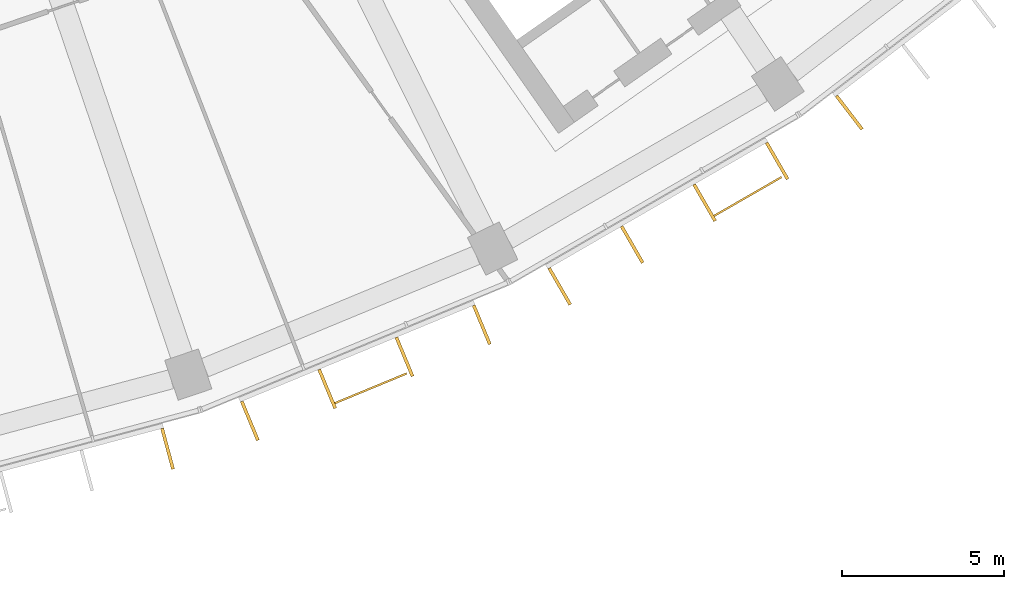
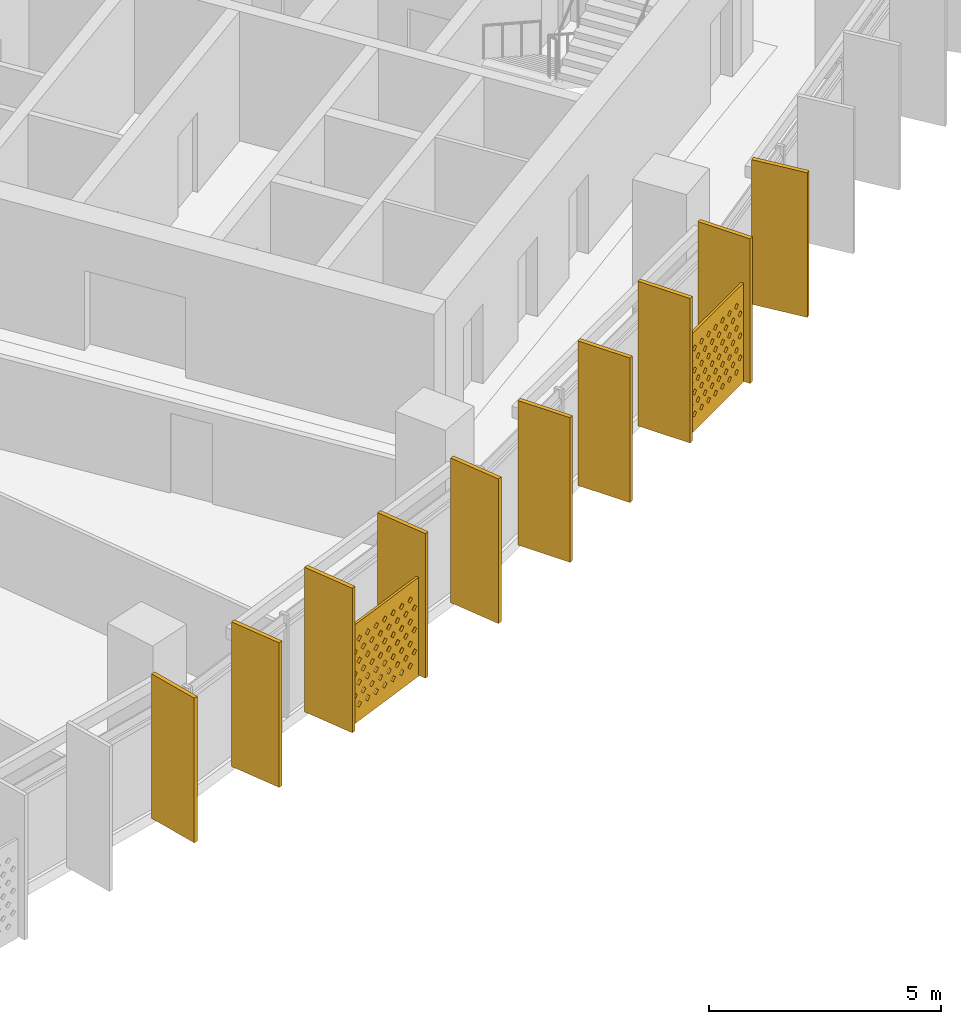
# One storey, part 25 of 27: 12 shading devices.
"""IFC4 building model written with IfcOpenShell, lengths in metres."""

from ifc_helpers import new_model, si_unit, direction, frame, origin, origin_2d, place, context, subcontext, project, spatial, polyline, rectangle, outline, extrude, material, material_profile, profile_set, type_object, element, save


model = new_model("IFC4")

# Units and contexts
model_context = context("Model", 3, precision=1e-05, world=origin(), true_north=direction((0.0, 1.0)))
body_context = subcontext(model_context, "Body", "Model", "MODEL_VIEW")
ifc_project = project(units=[si_unit("LENGTHUNIT", "METRE"), si_unit("AREAUNIT", "SQUARE_METRE"), si_unit("VOLUMEUNIT", "CUBIC_METRE"), si_unit("PLANEANGLEUNIT", "RADIAN"), si_unit("MASSUNIT", "GRAM", prefix="KILO")], contexts=[model_context])

# Site, building, storey
site_placement = place(None, origin())
site = spatial("IfcSite", under=ifc_project, at=site_placement, CompositionType="ELEMENT")
building_placement = place(site_placement, origin())
building = spatial("IfcBuilding", under=site, at=building_placement, Name="Qamariyya Broadcast Tower", CompositionType="ELEMENT")
storey_placement = place(building_placement, frame((0.0, 0.0, 194.89990234375)))
storey = spatial("IfcBuildingStorey", under=building, at=storey_placement, Name="L46", CompositionType="ELEMENT", Elevation=194.89990234375)

# Shading devices
ifc_material_1 = material(Name="Perforated glazed terracotta", Category="masonry")
ifc_material_profile_1 = material_profile(ifc_material_1, outline(polyline([(-1.199951171875, -1.300048828125), (1.199951171875, -1.300048828125), (1.199951171875, 1.300048828125), (-1.199951171875, 1.300048828125), (-1.199951171875, -1.300048828125)]), holes=[polyline([(-0.81494140625, -0.86669921875), (-0.89990234375, -0.78173828125), (-0.985107421875, -0.86669921875), (-0.89990234375, -0.95166015625), (-0.81494140625, -0.86669921875)]), polyline([(-0.514892578125, -0.86669921875), (-0.60009765625, -0.78173828125), (-0.68505859375, -0.86669921875), (-0.60009765625, -0.95166015625), (-0.514892578125, -0.86669921875)]), polyline([(-0.215087890625, -0.86669921875), (-0.300048828125, -0.78173828125), (-0.385009765625, -0.86669921875), (-0.300048828125, -0.95166015625), (-0.215087890625, -0.86669921875)]), polyline([(0.0849609375, -0.86669921875), (0.0, -0.78173828125), (-0.0849609375, -0.86669921875), (0.0, -0.95166015625), (0.0849609375, -0.86669921875)]), polyline([(0.385009765625, -0.86669921875), (0.300048828125, -0.78173828125), (0.215087890625, -0.86669921875), (0.300048828125, -0.95166015625), (0.385009765625, -0.86669921875)]), polyline([(0.68505859375, -0.86669921875), (0.60009765625, -0.78173828125), (0.514892578125, -0.86669921875), (0.60009765625, -0.95166015625), (0.68505859375, -0.86669921875)]), polyline([(0.985107421875, -0.86669921875), (0.89990234375, -0.78173828125), (0.81494140625, -0.86669921875), (0.89990234375, -0.95166015625), (0.985107421875, -0.86669921875)]), polyline([(-0.965087890625, -0.577880859375), (-1.050048828125, -0.49267578125), (-1.135009765625, -0.577880859375), (-1.050048828125, -0.662841796875), (-0.965087890625, -0.577880859375)]), polyline([(-0.6650390625, -0.577880859375), (-0.75, -0.49267578125), (-0.8349609375, -0.577880859375), (-0.75, -0.662841796875), (-0.6650390625, -0.577880859375)]), polyline([(-0.364990234375, -0.577880859375), (-0.449951171875, -0.49267578125), (-0.534912109375, -0.577880859375), (-0.449951171875, -0.662841796875), (-0.364990234375, -0.577880859375)]), polyline([(-0.06494140625, -0.577880859375), (-0.14990234375, -0.49267578125), (-0.235107421875, -0.577880859375), (-0.14990234375, -0.662841796875), (-0.06494140625, -0.577880859375)]), polyline([(0.235107421875, -0.577880859375), (0.14990234375, -0.49267578125), (0.06494140625, -0.577880859375), (0.14990234375, -0.662841796875), (0.235107421875, -0.577880859375)]), polyline([(0.534912109375, -0.577880859375), (0.449951171875, -0.49267578125), (0.364990234375, -0.577880859375), (0.449951171875, -0.662841796875), (0.534912109375, -0.577880859375)]), polyline([(0.8349609375, -0.577880859375), (0.75, -0.49267578125), (0.6650390625, -0.577880859375), (0.75, -0.662841796875), (0.8349609375, -0.577880859375)]), polyline([(1.135009765625, -0.577880859375), (1.050048828125, -0.49267578125), (0.965087890625, -0.577880859375), (1.050048828125, -0.662841796875), (1.135009765625, -0.577880859375)]), polyline([(-0.81494140625, -0.288818359375), (-0.89990234375, -0.203857421875), (-0.985107421875, -0.288818359375), (-0.89990234375, -0.373779296875), (-0.81494140625, -0.288818359375)]), polyline([(-0.514892578125, -0.288818359375), (-0.60009765625, -0.203857421875), (-0.68505859375, -0.288818359375), (-0.60009765625, -0.373779296875), (-0.514892578125, -0.288818359375)]), polyline([(-0.215087890625, -0.288818359375), (-0.300048828125, -0.203857421875), (-0.385009765625, -0.288818359375), (-0.300048828125, -0.373779296875), (-0.215087890625, -0.288818359375)]), polyline([(0.0849609375, -0.288818359375), (0.0, -0.203857421875), (-0.0849609375, -0.288818359375), (0.0, -0.373779296875), (0.0849609375, -0.288818359375)]), polyline([(0.385009765625, -0.288818359375), (0.300048828125, -0.203857421875), (0.215087890625, -0.288818359375), (0.300048828125, -0.373779296875), (0.385009765625, -0.288818359375)]), polyline([(0.68505859375, -0.288818359375), (0.60009765625, -0.203857421875), (0.514892578125, -0.288818359375), (0.60009765625, -0.373779296875), (0.68505859375, -0.288818359375)]), polyline([(0.985107421875, -0.288818359375), (0.89990234375, -0.203857421875), (0.81494140625, -0.288818359375), (0.89990234375, -0.373779296875), (0.985107421875, -0.288818359375)]), polyline([(-0.965087890625, 0.0), (-1.050048828125, 0.0849609375), (-1.135009765625, 0.0), (-1.050048828125, -0.0849609375), (-0.965087890625, 0.0)]), polyline([(-0.6650390625, 0.0), (-0.75, 0.0849609375), (-0.8349609375, 0.0), (-0.75, -0.0849609375), (-0.6650390625, 0.0)]), polyline([(-0.364990234375, 0.0), (-0.449951171875, 0.0849609375), (-0.534912109375, 0.0), (-0.449951171875, -0.0849609375), (-0.364990234375, 0.0)]), polyline([(-0.06494140625, 0.0), (-0.14990234375, 0.0849609375), (-0.235107421875, 0.0), (-0.14990234375, -0.0849609375), (-0.06494140625, 0.0)]), polyline([(0.235107421875, 0.0), (0.14990234375, 0.0849609375), (0.06494140625, 0.0), (0.14990234375, -0.0849609375), (0.235107421875, 0.0)]), polyline([(0.534912109375, 0.0), (0.449951171875, 0.0849609375), (0.364990234375, 0.0), (0.449951171875, -0.0849609375), (0.534912109375, 0.0)]), polyline([(0.8349609375, 0.0), (0.75, 0.0849609375), (0.6650390625, 0.0), (0.75, -0.0849609375), (0.8349609375, 0.0)]), polyline([(1.135009765625, 0.0), (1.050048828125, 0.0849609375), (0.965087890625, 0.0), (1.050048828125, -0.0849609375), (1.135009765625, 0.0)]), polyline([(-0.81494140625, 0.288818359375), (-0.89990234375, 0.373779296875), (-0.985107421875, 0.288818359375), (-0.89990234375, 0.203857421875), (-0.81494140625, 0.288818359375)]), polyline([(-0.514892578125, 0.288818359375), (-0.60009765625, 0.373779296875), (-0.68505859375, 0.288818359375), (-0.60009765625, 0.203857421875), (-0.514892578125, 0.288818359375)]), polyline([(-0.215087890625, 0.288818359375), (-0.300048828125, 0.373779296875), (-0.385009765625, 0.288818359375), (-0.300048828125, 0.203857421875), (-0.215087890625, 0.288818359375)]), polyline([(0.0849609375, 0.288818359375), (0.0, 0.373779296875), (-0.0849609375, 0.288818359375), (0.0, 0.203857421875), (0.0849609375, 0.288818359375)]), polyline([(0.385009765625, 0.288818359375), (0.300048828125, 0.373779296875), (0.215087890625, 0.288818359375), (0.300048828125, 0.203857421875), (0.385009765625, 0.288818359375)]), polyline([(0.68505859375, 0.288818359375), (0.60009765625, 0.373779296875), (0.514892578125, 0.288818359375), (0.60009765625, 0.203857421875), (0.68505859375, 0.288818359375)]), polyline([(0.985107421875, 0.288818359375), (0.89990234375, 0.373779296875), (0.81494140625, 0.288818359375), (0.89990234375, 0.203857421875), (0.985107421875, 0.288818359375)]), polyline([(-0.965087890625, 0.577880859375), (-1.050048828125, 0.662841796875), (-1.135009765625, 0.577880859375), (-1.050048828125, 0.49267578125), (-0.965087890625, 0.577880859375)]), polyline([(-0.6650390625, 0.577880859375), (-0.75, 0.662841796875), (-0.8349609375, 0.577880859375), (-0.75, 0.49267578125), (-0.6650390625, 0.577880859375)]), polyline([(-0.364990234375, 0.577880859375), (-0.449951171875, 0.662841796875), (-0.534912109375, 0.577880859375), (-0.449951171875, 0.49267578125), (-0.364990234375, 0.577880859375)]), polyline([(-0.06494140625, 0.577880859375), (-0.14990234375, 0.662841796875), (-0.235107421875, 0.577880859375), (-0.14990234375, 0.49267578125), (-0.06494140625, 0.577880859375)]), polyline([(0.235107421875, 0.577880859375), (0.14990234375, 0.662841796875), (0.06494140625, 0.577880859375), (0.14990234375, 0.49267578125), (0.235107421875, 0.577880859375)]), polyline([(0.534912109375, 0.577880859375), (0.449951171875, 0.662841796875), (0.364990234375, 0.577880859375), (0.449951171875, 0.49267578125), (0.534912109375, 0.577880859375)]), polyline([(0.8349609375, 0.577880859375), (0.75, 0.662841796875), (0.6650390625, 0.577880859375), (0.75, 0.49267578125), (0.8349609375, 0.577880859375)]), polyline([(1.135009765625, 0.577880859375), (1.050048828125, 0.662841796875), (0.965087890625, 0.577880859375), (1.050048828125, 0.49267578125), (1.135009765625, 0.577880859375)]), polyline([(-0.81494140625, 0.86669921875), (-0.89990234375, 0.95166015625), (-0.985107421875, 0.86669921875), (-0.89990234375, 0.78173828125), (-0.81494140625, 0.86669921875)]), polyline([(-0.514892578125, 0.86669921875), (-0.60009765625, 0.95166015625), (-0.68505859375, 0.86669921875), (-0.60009765625, 0.78173828125), (-0.514892578125, 0.86669921875)]), polyline([(-0.215087890625, 0.86669921875), (-0.300048828125, 0.95166015625), (-0.385009765625, 0.86669921875), (-0.300048828125, 0.78173828125), (-0.215087890625, 0.86669921875)]), polyline([(0.0849609375, 0.86669921875), (0.0, 0.95166015625), (-0.0849609375, 0.86669921875), (0.0, 0.78173828125), (0.0849609375, 0.86669921875)]), polyline([(0.385009765625, 0.86669921875), (0.300048828125, 0.95166015625), (0.215087890625, 0.86669921875), (0.300048828125, 0.78173828125), (0.385009765625, 0.86669921875)]), polyline([(0.68505859375, 0.86669921875), (0.60009765625, 0.95166015625), (0.514892578125, 0.86669921875), (0.60009765625, 0.78173828125), (0.68505859375, 0.86669921875)]), polyline([(0.985107421875, 0.86669921875), (0.89990234375, 0.95166015625), (0.81494140625, 0.86669921875), (0.89990234375, 0.78173828125), (0.985107421875, 0.86669921875)])]))
ifc_profile_set_1 = profile_set([ifc_material_profile_1], Name="Perforated glazed terracotta")
shading_device_type_1 = type_object("IfcShadingDeviceType", Name="Perforated terracotta screen 2400 x 2600", PredefinedType="USERDEFINED", material=ifc_profile_set_1)
shading_device_1_placement = place(storey_placement, frame((30.61474609375, -74.01953125, 1.35009765625), z_axis=(0.382591441855, -0.923917630863, 0.0), x_axis=(0.923917630863, 0.382591441855, 0.0)))
element("IfcShadingDevice", 1, at=shading_device_1_placement, inside=storey, type_object=shading_device_type_1, Name="e-scr-L46-10-1", ObjectType="SCREEN", PredefinedType="USERDEFINED", context=body_context, shape_type="SweptSolid", body=[
    extrude(outline(polyline([(-1.199951171875, -1.300048828125), (1.199951171875, -1.300048828125), (1.199951171875, 1.300048828125), (-1.199951171875, 1.300048828125), (-1.199951171875, -1.300048828125)]), holes=[polyline([(-0.81494140625, -0.86669921875), (-0.89990234375, -0.78173828125), (-0.985107421875, -0.86669921875), (-0.89990234375, -0.95166015625), (-0.81494140625, -0.86669921875)]), polyline([(-0.514892578125, -0.86669921875), (-0.60009765625, -0.78173828125), (-0.68505859375, -0.86669921875), (-0.60009765625, -0.95166015625), (-0.514892578125, -0.86669921875)]), polyline([(-0.215087890625, -0.86669921875), (-0.300048828125, -0.78173828125), (-0.385009765625, -0.86669921875), (-0.300048828125, -0.95166015625), (-0.215087890625, -0.86669921875)]), polyline([(0.0849609375, -0.86669921875), (0.0, -0.78173828125), (-0.0849609375, -0.86669921875), (0.0, -0.95166015625), (0.0849609375, -0.86669921875)]), polyline([(0.385009765625, -0.86669921875), (0.300048828125, -0.78173828125), (0.215087890625, -0.86669921875), (0.300048828125, -0.95166015625), (0.385009765625, -0.86669921875)]), polyline([(0.68505859375, -0.86669921875), (0.60009765625, -0.78173828125), (0.514892578125, -0.86669921875), (0.60009765625, -0.95166015625), (0.68505859375, -0.86669921875)]), polyline([(0.985107421875, -0.86669921875), (0.89990234375, -0.78173828125), (0.81494140625, -0.86669921875), (0.89990234375, -0.95166015625), (0.985107421875, -0.86669921875)]), polyline([(-0.965087890625, -0.577880859375), (-1.050048828125, -0.49267578125), (-1.135009765625, -0.577880859375), (-1.050048828125, -0.662841796875), (-0.965087890625, -0.577880859375)]), polyline([(-0.6650390625, -0.577880859375), (-0.75, -0.49267578125), (-0.8349609375, -0.577880859375), (-0.75, -0.662841796875), (-0.6650390625, -0.577880859375)]), polyline([(-0.364990234375, -0.577880859375), (-0.449951171875, -0.49267578125), (-0.534912109375, -0.577880859375), (-0.449951171875, -0.662841796875), (-0.364990234375, -0.577880859375)]), polyline([(-0.06494140625, -0.577880859375), (-0.14990234375, -0.49267578125), (-0.235107421875, -0.577880859375), (-0.14990234375, -0.662841796875), (-0.06494140625, -0.577880859375)]), polyline([(0.235107421875, -0.577880859375), (0.14990234375, -0.49267578125), (0.06494140625, -0.577880859375), (0.14990234375, -0.662841796875), (0.235107421875, -0.577880859375)]), polyline([(0.534912109375, -0.577880859375), (0.449951171875, -0.49267578125), (0.364990234375, -0.577880859375), (0.449951171875, -0.662841796875), (0.534912109375, -0.577880859375)]), polyline([(0.8349609375, -0.577880859375), (0.75, -0.49267578125), (0.6650390625, -0.577880859375), (0.75, -0.662841796875), (0.8349609375, -0.577880859375)]), polyline([(1.135009765625, -0.577880859375), (1.050048828125, -0.49267578125), (0.965087890625, -0.577880859375), (1.050048828125, -0.662841796875), (1.135009765625, -0.577880859375)]), polyline([(-0.81494140625, -0.288818359375), (-0.89990234375, -0.203857421875), (-0.985107421875, -0.288818359375), (-0.89990234375, -0.373779296875), (-0.81494140625, -0.288818359375)]), polyline([(-0.514892578125, -0.288818359375), (-0.60009765625, -0.203857421875), (-0.68505859375, -0.288818359375), (-0.60009765625, -0.373779296875), (-0.514892578125, -0.288818359375)]), polyline([(-0.215087890625, -0.288818359375), (-0.300048828125, -0.203857421875), (-0.385009765625, -0.288818359375), (-0.300048828125, -0.373779296875), (-0.215087890625, -0.288818359375)]), polyline([(0.0849609375, -0.288818359375), (0.0, -0.203857421875), (-0.0849609375, -0.288818359375), (0.0, -0.373779296875), (0.0849609375, -0.288818359375)]), polyline([(0.385009765625, -0.288818359375), (0.300048828125, -0.203857421875), (0.215087890625, -0.288818359375), (0.300048828125, -0.373779296875), (0.385009765625, -0.288818359375)]), polyline([(0.68505859375, -0.288818359375), (0.60009765625, -0.203857421875), (0.514892578125, -0.288818359375), (0.60009765625, -0.373779296875), (0.68505859375, -0.288818359375)]), polyline([(0.985107421875, -0.288818359375), (0.89990234375, -0.203857421875), (0.81494140625, -0.288818359375), (0.89990234375, -0.373779296875), (0.985107421875, -0.288818359375)]), polyline([(-0.965087890625, 0.0), (-1.050048828125, 0.0849609375), (-1.135009765625, 0.0), (-1.050048828125, -0.0849609375), (-0.965087890625, 0.0)]), polyline([(-0.6650390625, 0.0), (-0.75, 0.0849609375), (-0.8349609375, 0.0), (-0.75, -0.0849609375), (-0.6650390625, 0.0)]), polyline([(-0.364990234375, 0.0), (-0.449951171875, 0.0849609375), (-0.534912109375, 0.0), (-0.449951171875, -0.0849609375), (-0.364990234375, 0.0)]), polyline([(-0.06494140625, 0.0), (-0.14990234375, 0.0849609375), (-0.235107421875, 0.0), (-0.14990234375, -0.0849609375), (-0.06494140625, 0.0)]), polyline([(0.235107421875, 0.0), (0.14990234375, 0.0849609375), (0.06494140625, 0.0), (0.14990234375, -0.0849609375), (0.235107421875, 0.0)]), polyline([(0.534912109375, 0.0), (0.449951171875, 0.0849609375), (0.364990234375, 0.0), (0.449951171875, -0.0849609375), (0.534912109375, 0.0)]), polyline([(0.8349609375, 0.0), (0.75, 0.0849609375), (0.6650390625, 0.0), (0.75, -0.0849609375), (0.8349609375, 0.0)]), polyline([(1.135009765625, 0.0), (1.050048828125, 0.0849609375), (0.965087890625, 0.0), (1.050048828125, -0.0849609375), (1.135009765625, 0.0)]), polyline([(-0.81494140625, 0.288818359375), (-0.89990234375, 0.373779296875), (-0.985107421875, 0.288818359375), (-0.89990234375, 0.203857421875), (-0.81494140625, 0.288818359375)]), polyline([(-0.514892578125, 0.288818359375), (-0.60009765625, 0.373779296875), (-0.68505859375, 0.288818359375), (-0.60009765625, 0.203857421875), (-0.514892578125, 0.288818359375)]), polyline([(-0.215087890625, 0.288818359375), (-0.300048828125, 0.373779296875), (-0.385009765625, 0.288818359375), (-0.300048828125, 0.203857421875), (-0.215087890625, 0.288818359375)]), polyline([(0.0849609375, 0.288818359375), (0.0, 0.373779296875), (-0.0849609375, 0.288818359375), (0.0, 0.203857421875), (0.0849609375, 0.288818359375)]), polyline([(0.385009765625, 0.288818359375), (0.300048828125, 0.373779296875), (0.215087890625, 0.288818359375), (0.300048828125, 0.203857421875), (0.385009765625, 0.288818359375)]), polyline([(0.68505859375, 0.288818359375), (0.60009765625, 0.373779296875), (0.514892578125, 0.288818359375), (0.60009765625, 0.203857421875), (0.68505859375, 0.288818359375)]), polyline([(0.985107421875, 0.288818359375), (0.89990234375, 0.373779296875), (0.81494140625, 0.288818359375), (0.89990234375, 0.203857421875), (0.985107421875, 0.288818359375)]), polyline([(-0.965087890625, 0.577880859375), (-1.050048828125, 0.662841796875), (-1.135009765625, 0.577880859375), (-1.050048828125, 0.49267578125), (-0.965087890625, 0.577880859375)]), polyline([(-0.6650390625, 0.577880859375), (-0.75, 0.662841796875), (-0.8349609375, 0.577880859375), (-0.75, 0.49267578125), (-0.6650390625, 0.577880859375)]), polyline([(-0.364990234375, 0.577880859375), (-0.449951171875, 0.662841796875), (-0.534912109375, 0.577880859375), (-0.449951171875, 0.49267578125), (-0.364990234375, 0.577880859375)]), polyline([(-0.06494140625, 0.577880859375), (-0.14990234375, 0.662841796875), (-0.235107421875, 0.577880859375), (-0.14990234375, 0.49267578125), (-0.06494140625, 0.577880859375)]), polyline([(0.235107421875, 0.577880859375), (0.14990234375, 0.662841796875), (0.06494140625, 0.577880859375), (0.14990234375, 0.49267578125), (0.235107421875, 0.577880859375)]), polyline([(0.534912109375, 0.577880859375), (0.449951171875, 0.662841796875), (0.364990234375, 0.577880859375), (0.449951171875, 0.49267578125), (0.534912109375, 0.577880859375)]), polyline([(0.8349609375, 0.577880859375), (0.75, 0.662841796875), (0.6650390625, 0.577880859375), (0.75, 0.49267578125), (0.8349609375, 0.577880859375)]), polyline([(1.135009765625, 0.577880859375), (1.050048828125, 0.662841796875), (0.965087890625, 0.577880859375), (1.050048828125, 0.49267578125), (1.135009765625, 0.577880859375)]), polyline([(-0.81494140625, 0.86669921875), (-0.89990234375, 0.95166015625), (-0.985107421875, 0.86669921875), (-0.89990234375, 0.78173828125), (-0.81494140625, 0.86669921875)]), polyline([(-0.514892578125, 0.86669921875), (-0.60009765625, 0.95166015625), (-0.68505859375, 0.86669921875), (-0.60009765625, 0.78173828125), (-0.514892578125, 0.86669921875)]), polyline([(-0.215087890625, 0.86669921875), (-0.300048828125, 0.95166015625), (-0.385009765625, 0.86669921875), (-0.300048828125, 0.78173828125), (-0.215087890625, 0.86669921875)]), polyline([(0.0849609375, 0.86669921875), (0.0, 0.95166015625), (-0.0849609375, 0.86669921875), (0.0, 0.78173828125), (0.0849609375, 0.86669921875)]), polyline([(0.385009765625, 0.86669921875), (0.300048828125, 0.95166015625), (0.215087890625, 0.86669921875), (0.300048828125, 0.78173828125), (0.385009765625, 0.86669921875)]), polyline([(0.68505859375, 0.86669921875), (0.60009765625, 0.95166015625), (0.514892578125, 0.86669921875), (0.60009765625, 0.78173828125), (0.68505859375, 0.86669921875)]), polyline([(0.985107421875, 0.86669921875), (0.89990234375, 0.95166015625), (0.81494140625, 0.86669921875), (0.89990234375, 0.78173828125), (0.985107421875, 0.86669921875)])]), origin(), (0.0, 0.0, 1.0), 0.06005859375),
])
shading_device_2_placement = place(storey_placement, frame((42.251708984375, -68.0986328125, 1.35009765625), z_axis=(0.498778343083, -0.866729579783, 0.0), x_axis=(0.866729579783, 0.498778343083, 0.0)))
element("IfcShadingDevice", 2, at=shading_device_2_placement, inside=storey, type_object=shading_device_type_1, Name="e-scr-L46-11-2", ObjectType="SCREEN", PredefinedType="USERDEFINED", context=body_context, shape_type="SweptSolid", body=[
    extrude(outline(polyline([(-1.199951171875, -1.300048828125), (1.199951171875, -1.300048828125), (1.199951171875, 1.300048828125), (-1.199951171875, 1.300048828125), (-1.199951171875, -1.300048828125)]), holes=[polyline([(-0.81494140625, -0.86669921875), (-0.89990234375, -0.78173828125), (-0.985107421875, -0.86669921875), (-0.89990234375, -0.95166015625), (-0.81494140625, -0.86669921875)]), polyline([(-0.514892578125, -0.86669921875), (-0.60009765625, -0.78173828125), (-0.68505859375, -0.86669921875), (-0.60009765625, -0.95166015625), (-0.514892578125, -0.86669921875)]), polyline([(-0.215087890625, -0.86669921875), (-0.300048828125, -0.78173828125), (-0.385009765625, -0.86669921875), (-0.300048828125, -0.95166015625), (-0.215087890625, -0.86669921875)]), polyline([(0.0849609375, -0.86669921875), (0.0, -0.78173828125), (-0.0849609375, -0.86669921875), (0.0, -0.95166015625), (0.0849609375, -0.86669921875)]), polyline([(0.385009765625, -0.86669921875), (0.300048828125, -0.78173828125), (0.215087890625, -0.86669921875), (0.300048828125, -0.95166015625), (0.385009765625, -0.86669921875)]), polyline([(0.68505859375, -0.86669921875), (0.60009765625, -0.78173828125), (0.514892578125, -0.86669921875), (0.60009765625, -0.95166015625), (0.68505859375, -0.86669921875)]), polyline([(0.985107421875, -0.86669921875), (0.89990234375, -0.78173828125), (0.81494140625, -0.86669921875), (0.89990234375, -0.95166015625), (0.985107421875, -0.86669921875)]), polyline([(-0.965087890625, -0.577880859375), (-1.050048828125, -0.49267578125), (-1.135009765625, -0.577880859375), (-1.050048828125, -0.662841796875), (-0.965087890625, -0.577880859375)]), polyline([(-0.6650390625, -0.577880859375), (-0.75, -0.49267578125), (-0.8349609375, -0.577880859375), (-0.75, -0.662841796875), (-0.6650390625, -0.577880859375)]), polyline([(-0.364990234375, -0.577880859375), (-0.449951171875, -0.49267578125), (-0.534912109375, -0.577880859375), (-0.449951171875, -0.662841796875), (-0.364990234375, -0.577880859375)]), polyline([(-0.06494140625, -0.577880859375), (-0.14990234375, -0.49267578125), (-0.235107421875, -0.577880859375), (-0.14990234375, -0.662841796875), (-0.06494140625, -0.577880859375)]), polyline([(0.235107421875, -0.577880859375), (0.14990234375, -0.49267578125), (0.06494140625, -0.577880859375), (0.14990234375, -0.662841796875), (0.235107421875, -0.577880859375)]), polyline([(0.534912109375, -0.577880859375), (0.449951171875, -0.49267578125), (0.364990234375, -0.577880859375), (0.449951171875, -0.662841796875), (0.534912109375, -0.577880859375)]), polyline([(0.8349609375, -0.577880859375), (0.75, -0.49267578125), (0.6650390625, -0.577880859375), (0.75, -0.662841796875), (0.8349609375, -0.577880859375)]), polyline([(1.135009765625, -0.577880859375), (1.050048828125, -0.49267578125), (0.965087890625, -0.577880859375), (1.050048828125, -0.662841796875), (1.135009765625, -0.577880859375)]), polyline([(-0.81494140625, -0.288818359375), (-0.89990234375, -0.203857421875), (-0.985107421875, -0.288818359375), (-0.89990234375, -0.373779296875), (-0.81494140625, -0.288818359375)]), polyline([(-0.514892578125, -0.288818359375), (-0.60009765625, -0.203857421875), (-0.68505859375, -0.288818359375), (-0.60009765625, -0.373779296875), (-0.514892578125, -0.288818359375)]), polyline([(-0.215087890625, -0.288818359375), (-0.300048828125, -0.203857421875), (-0.385009765625, -0.288818359375), (-0.300048828125, -0.373779296875), (-0.215087890625, -0.288818359375)]), polyline([(0.0849609375, -0.288818359375), (0.0, -0.203857421875), (-0.0849609375, -0.288818359375), (0.0, -0.373779296875), (0.0849609375, -0.288818359375)]), polyline([(0.385009765625, -0.288818359375), (0.300048828125, -0.203857421875), (0.215087890625, -0.288818359375), (0.300048828125, -0.373779296875), (0.385009765625, -0.288818359375)]), polyline([(0.68505859375, -0.288818359375), (0.60009765625, -0.203857421875), (0.514892578125, -0.288818359375), (0.60009765625, -0.373779296875), (0.68505859375, -0.288818359375)]), polyline([(0.985107421875, -0.288818359375), (0.89990234375, -0.203857421875), (0.81494140625, -0.288818359375), (0.89990234375, -0.373779296875), (0.985107421875, -0.288818359375)]), polyline([(-0.965087890625, 0.0), (-1.050048828125, 0.0849609375), (-1.135009765625, 0.0), (-1.050048828125, -0.0849609375), (-0.965087890625, 0.0)]), polyline([(-0.6650390625, 0.0), (-0.75, 0.0849609375), (-0.8349609375, 0.0), (-0.75, -0.0849609375), (-0.6650390625, 0.0)]), polyline([(-0.364990234375, 0.0), (-0.449951171875, 0.0849609375), (-0.534912109375, 0.0), (-0.449951171875, -0.0849609375), (-0.364990234375, 0.0)]), polyline([(-0.06494140625, 0.0), (-0.14990234375, 0.0849609375), (-0.235107421875, 0.0), (-0.14990234375, -0.0849609375), (-0.06494140625, 0.0)]), polyline([(0.235107421875, 0.0), (0.14990234375, 0.0849609375), (0.06494140625, 0.0), (0.14990234375, -0.0849609375), (0.235107421875, 0.0)]), polyline([(0.534912109375, 0.0), (0.449951171875, 0.0849609375), (0.364990234375, 0.0), (0.449951171875, -0.0849609375), (0.534912109375, 0.0)]), polyline([(0.8349609375, 0.0), (0.75, 0.0849609375), (0.6650390625, 0.0), (0.75, -0.0849609375), (0.8349609375, 0.0)]), polyline([(1.135009765625, 0.0), (1.050048828125, 0.0849609375), (0.965087890625, 0.0), (1.050048828125, -0.0849609375), (1.135009765625, 0.0)]), polyline([(-0.81494140625, 0.288818359375), (-0.89990234375, 0.373779296875), (-0.985107421875, 0.288818359375), (-0.89990234375, 0.203857421875), (-0.81494140625, 0.288818359375)]), polyline([(-0.514892578125, 0.288818359375), (-0.60009765625, 0.373779296875), (-0.68505859375, 0.288818359375), (-0.60009765625, 0.203857421875), (-0.514892578125, 0.288818359375)]), polyline([(-0.215087890625, 0.288818359375), (-0.300048828125, 0.373779296875), (-0.385009765625, 0.288818359375), (-0.300048828125, 0.203857421875), (-0.215087890625, 0.288818359375)]), polyline([(0.0849609375, 0.288818359375), (0.0, 0.373779296875), (-0.0849609375, 0.288818359375), (0.0, 0.203857421875), (0.0849609375, 0.288818359375)]), polyline([(0.385009765625, 0.288818359375), (0.300048828125, 0.373779296875), (0.215087890625, 0.288818359375), (0.300048828125, 0.203857421875), (0.385009765625, 0.288818359375)]), polyline([(0.68505859375, 0.288818359375), (0.60009765625, 0.373779296875), (0.514892578125, 0.288818359375), (0.60009765625, 0.203857421875), (0.68505859375, 0.288818359375)]), polyline([(0.985107421875, 0.288818359375), (0.89990234375, 0.373779296875), (0.81494140625, 0.288818359375), (0.89990234375, 0.203857421875), (0.985107421875, 0.288818359375)]), polyline([(-0.965087890625, 0.577880859375), (-1.050048828125, 0.662841796875), (-1.135009765625, 0.577880859375), (-1.050048828125, 0.49267578125), (-0.965087890625, 0.577880859375)]), polyline([(-0.6650390625, 0.577880859375), (-0.75, 0.662841796875), (-0.8349609375, 0.577880859375), (-0.75, 0.49267578125), (-0.6650390625, 0.577880859375)]), polyline([(-0.364990234375, 0.577880859375), (-0.449951171875, 0.662841796875), (-0.534912109375, 0.577880859375), (-0.449951171875, 0.49267578125), (-0.364990234375, 0.577880859375)]), polyline([(-0.06494140625, 0.577880859375), (-0.14990234375, 0.662841796875), (-0.235107421875, 0.577880859375), (-0.14990234375, 0.49267578125), (-0.06494140625, 0.577880859375)]), polyline([(0.235107421875, 0.577880859375), (0.14990234375, 0.662841796875), (0.06494140625, 0.577880859375), (0.14990234375, 0.49267578125), (0.235107421875, 0.577880859375)]), polyline([(0.534912109375, 0.577880859375), (0.449951171875, 0.662841796875), (0.364990234375, 0.577880859375), (0.449951171875, 0.49267578125), (0.534912109375, 0.577880859375)]), polyline([(0.8349609375, 0.577880859375), (0.75, 0.662841796875), (0.6650390625, 0.577880859375), (0.75, 0.49267578125), (0.8349609375, 0.577880859375)]), polyline([(1.135009765625, 0.577880859375), (1.050048828125, 0.662841796875), (0.965087890625, 0.577880859375), (1.050048828125, 0.49267578125), (1.135009765625, 0.577880859375)]), polyline([(-0.81494140625, 0.86669921875), (-0.89990234375, 0.95166015625), (-0.985107421875, 0.86669921875), (-0.89990234375, 0.78173828125), (-0.81494140625, 0.86669921875)]), polyline([(-0.514892578125, 0.86669921875), (-0.60009765625, 0.95166015625), (-0.68505859375, 0.86669921875), (-0.60009765625, 0.78173828125), (-0.514892578125, 0.86669921875)]), polyline([(-0.215087890625, 0.86669921875), (-0.300048828125, 0.95166015625), (-0.385009765625, 0.86669921875), (-0.300048828125, 0.78173828125), (-0.215087890625, 0.86669921875)]), polyline([(0.0849609375, 0.86669921875), (0.0, 0.95166015625), (-0.0849609375, 0.86669921875), (0.0, 0.78173828125), (0.0849609375, 0.86669921875)]), polyline([(0.385009765625, 0.86669921875), (0.300048828125, 0.95166015625), (0.215087890625, 0.86669921875), (0.300048828125, 0.78173828125), (0.385009765625, 0.86669921875)]), polyline([(0.68505859375, 0.86669921875), (0.60009765625, 0.95166015625), (0.514892578125, 0.86669921875), (0.60009765625, 0.78173828125), (0.68505859375, 0.86669921875)]), polyline([(0.985107421875, 0.86669921875), (0.89990234375, 0.95166015625), (0.81494140625, 0.86669921875), (0.89990234375, 0.78173828125), (0.985107421875, 0.86669921875)])]), origin(), (0.0, 0.0, 1.0), 0.059814453125),
])
ifc_material_2 = material(Name="Glazed terracotta", Category="masonry")
ifc_material_profile_2 = material_profile(ifc_material_2, rectangle(XDim=1.300048828125, YDim=0.10009765625, at=origin_2d()))
ifc_profile_set_2 = profile_set([ifc_material_profile_2], Name="Glazed terracotta")
shading_device_type_2 = type_object("IfcShadingDeviceType", Name="Terracotta fin 100 x 1300", PredefinedType="USERDEFINED", material=ifc_profile_set_2)
for number, where, z_axis, x_axis, name in (
    (3, (24.35302734375, -75.91455078125, 0.0), (0.0, 0.0, 1.0), (0.258819045103, -0.965925826289, 0.0), "e-fin-L46-09-3"),
    (4, (26.893310546875, -75.05224609375, 0.0), (0.0, 0.0, 1.0), (0.382683432365, -0.923879532511, 0.0), "e-fin-L46-10-0"),
    (5, (29.280029296875, -74.063720703125, 0.0), (0.0, 0.0, 1.0), (0.382683432365, -0.923879532511, 0.0), "e-fin-L46-10-1"),
    (6, (31.666748046875, -73.074951171875, 0.0), (0.0, 0.0, 1.0), (0.382683432365, -0.923879532511, 0.0), "e-fin-L46-10-2"),
    (7, (34.053466796875, -72.08642578125, 0.0), (0.0, 0.0, 1.0), (0.382683432365, -0.923879532511, 0.0), "e-fin-L46-10-3"),
    (8, (36.45947265625, -70.89990234375, 0.0), (0.0, 0.0, 1.0), (0.5, -0.866025403784, 0.0), "e-fin-L46-11-0"),
    (9, (38.69677734375, -69.608154296875, 0.0), (0.0, 0.0, 1.0), (0.5, -0.866025403784, 0.0), "e-fin-L46-11-1"),
    (10, (40.93408203125, -68.31640625, 0.0), (0.0, 0.0, 1.0), (0.5, -0.866025403784, 0.0), "e-fin-L46-11-2"),
    (11, (43.17138671875, -67.024658203125, 0.0), (0.0, 0.0, 1.0), (0.5, -0.866025403784, 0.0), "e-fin-L46-11-3"),
    (12, (45.40185546875, -65.534423828125, 0.0), (0.0, 0.0, 1.0), (0.608761429009, -0.793353340291, 0.0), "e-fin-L46-12-0"),
):
    element("IfcShadingDevice", number, at=place(storey_placement, frame(where, z_axis=z_axis, x_axis=x_axis)), inside=storey, type_object=shading_device_type_2, Name=name, ObjectType="FIN", PredefinedType="USERDEFINED", context=body_context, shape_type="SweptSolid", body=[
        extrude(rectangle(XDim=1.300048828125, YDim=0.10009765625, at=origin_2d()), origin(), (0.0, 0.0, 1.0), 3.800048828125),
    ])

save(model, "model.ifc")
